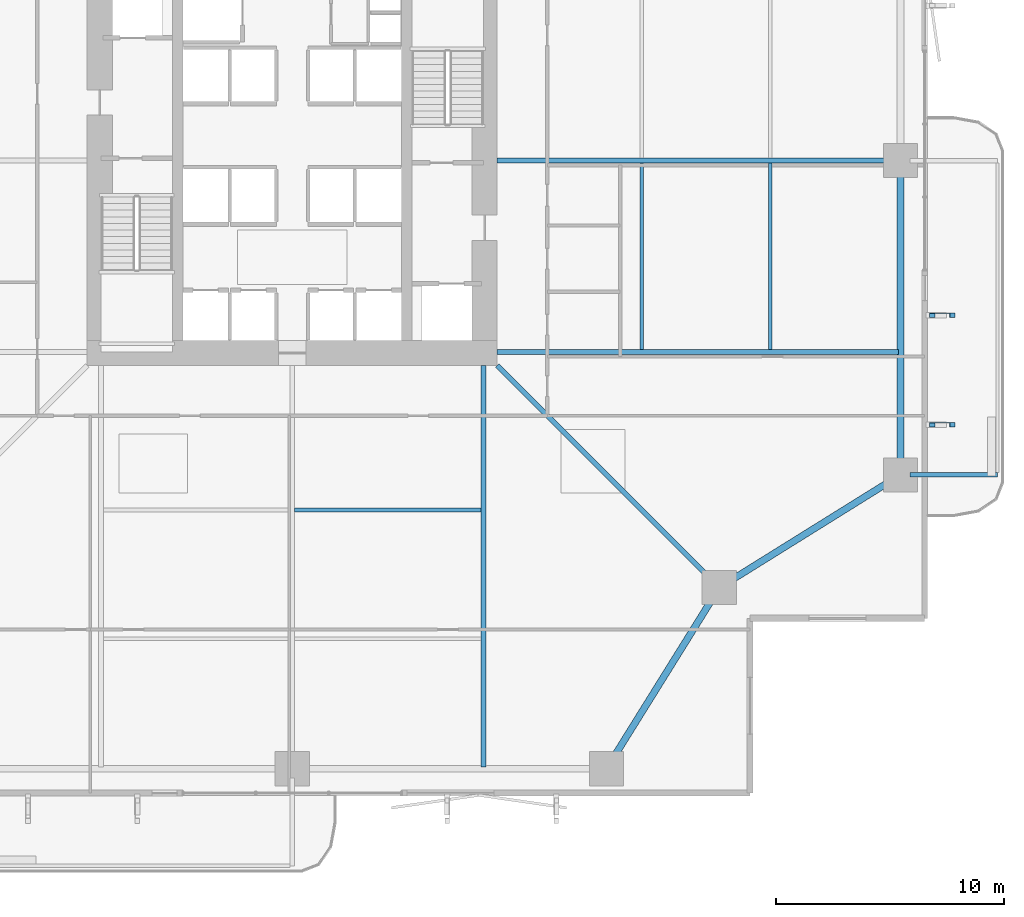
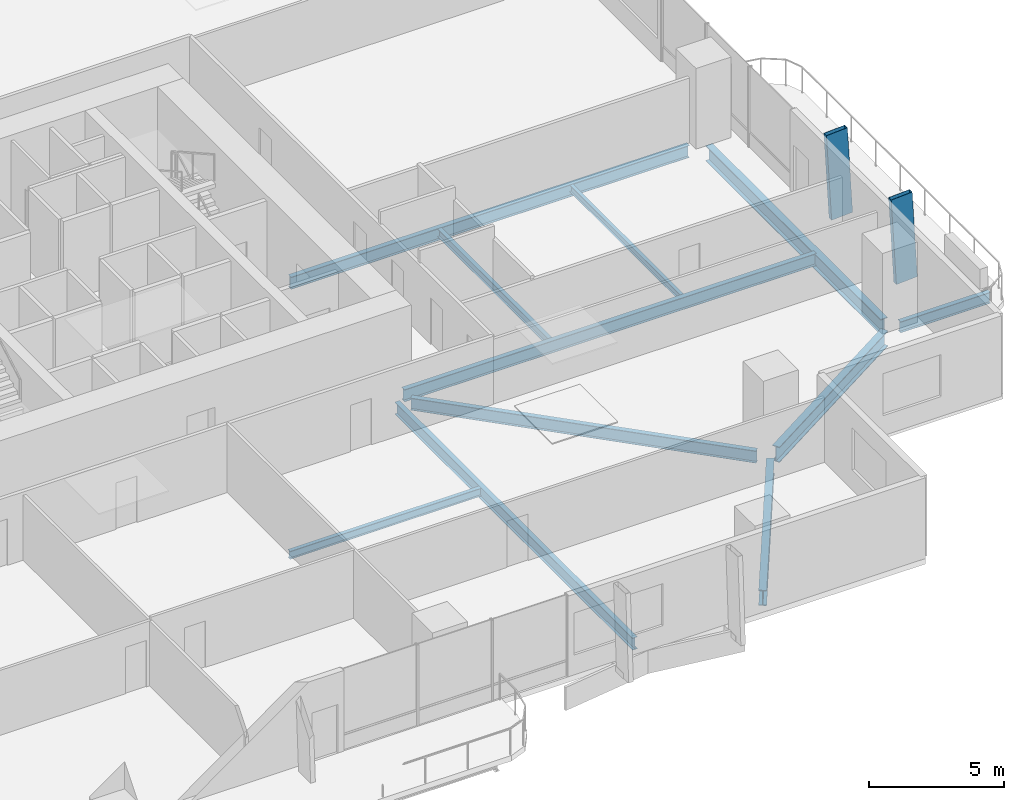
# One storey, part 7 of 23: 11 beams, 2 members.
"""IFC4 building model written with IfcOpenShell, lengths in metres."""

from ifc_helpers import new_model, si_unit, direction, frame, origin, origin_2d, place, context, subcontext, project, spatial, hollow_rectangle, i_section, extrude, material, material_profile, profile_set, type_object, element, save


model = new_model("IFC4")

# Units and contexts
model_context = context("Model", 3, precision=1e-05, world=origin(), true_north=direction((0.0, 1.0)))
body_context = subcontext(model_context, "Body", "Model", "MODEL_VIEW")
ifc_project = project(units=[si_unit("LENGTHUNIT", "METRE"), si_unit("AREAUNIT", "SQUARE_METRE"), si_unit("VOLUMEUNIT", "CUBIC_METRE"), si_unit("PLANEANGLEUNIT", "RADIAN"), si_unit("MASSUNIT", "GRAM", prefix="KILO")], contexts=[model_context])

# Site, building, storey
site_placement = place(None, origin())
site = spatial("IfcSite", under=ifc_project, at=site_placement, CompositionType="ELEMENT")
building_placement = place(site_placement, origin())
building = spatial("IfcBuilding", under=site, at=building_placement, Name="Belovzor Exchange Tower", CompositionType="ELEMENT")
storey_placement = place(building_placement, frame((0.0, 0.0, 88.5)))
storey = spatial("IfcBuildingStorey", under=building, at=storey_placement, Name="L21", CompositionType="ELEMENT", Elevation=88.5)

# Beams
ifc_material_1 = material(Name="Steel S355", Category="steel")
ifc_material_profile_1 = material_profile(ifc_material_1, i_section(OverallWidth=0.199951171875, OverallDepth=0.5, WebThickness=0.01025390625, FlangeThickness=0.01611328125, at=origin_2d()))
ifc_profile_set_1 = profile_set([ifc_material_profile_1], Name="Steel S355")
beam_type_1 = type_object("IfcBeamType", Name="Planted Balcony Cantilever Beam IPE 500", PredefinedType="BEAM", material=ifc_profile_set_1)
beam_1_placement = place(storey_placement, frame((55.9130859375, 15.0, -0.5), z_axis=(1.0, 0.0, 0.0), x_axis=(0.0, 1.0, 0.0)))
element("IfcBeam", 1, at=beam_1_placement, inside=storey, type_object=beam_type_1, Name="BC-500 Planted Balcony Cantilever Beam IPE 500", PredefinedType="BEAM", context=body_context, shape_type="SweptSolid", body=[
    extrude(i_section(OverallWidth=0.199951171875, OverallDepth=0.5, WebThickness=0.01025390625, FlangeThickness=0.01611328125, at=origin_2d()), origin(), (0.0, 0.0, 1.0), 3.849853515625),
])
ifc_material_2 = material(Name="Steel S355", Category="steel")
ifc_material_profile_2 = material_profile(ifc_material_2, i_section(OverallWidth=0.169921875, OverallDepth=0.360107421875, WebThickness=0.008056640625, FlangeThickness=0.0126953125, at=origin_2d()))
ifc_profile_set_2 = profile_set([ifc_material_profile_2], Name="Steel S355")
beam_type_2 = type_object("IfcBeamType", Name="Secondary Infill Floor Joist IPE 360", PredefinedType="BEAM", material=ifc_profile_set_2)
beam_2_placement = place(storey_placement, frame((28.905029296875, 13.455078125, -0.429931640625), z_axis=(1.0, 0.0, 0.0), x_axis=(0.0, 1.0, 0.0)))
element("IfcBeam", 2, at=beam_2_placement, inside=storey, type_object=beam_type_2, Name="FJ-360 Secondary Infill Floor Joist IPE 360", PredefinedType="BEAM", context=body_context, shape_type="SweptSolid", body=[
    extrude(i_section(OverallWidth=0.169921875, OverallDepth=0.360107421875, WebThickness=0.008056640625, FlangeThickness=0.0126953125, at=origin_2d()), origin(), (0.0, 0.0, 1.0), 8.18994140625),
])
beam_3_placement = place(storey_placement, frame((44.14501953125, 20.5048828125, -0.429931640625), z_axis=(0.0, 1.0, 0.0), x_axis=(-1.0, 0.0, 0.0)))
element("IfcBeam", 3, at=beam_3_placement, inside=storey, type_object=beam_type_2, Name="FJ-360 Secondary Infill Floor Joist IPE 360", PredefinedType="BEAM", context=body_context, shape_type="SweptSolid", body=[
    extrude(i_section(OverallWidth=0.169921875, OverallDepth=0.360107421875, WebThickness=0.008056640625, FlangeThickness=0.0126953125, at=origin_2d()), origin(), (0.0, 0.0, 1.0), 8.190185546875),
])
ifc_material_3 = material(Name="Steel S355", Category="steel")
ifc_material_profile_3 = material_profile(ifc_material_3, i_section(OverallWidth=0.14990234375, OverallDepth=0.300048828125, WebThickness=0.007080078125, FlangeThickness=0.0107421875, at=origin_2d()))
ifc_profile_set_3 = profile_set([ifc_material_profile_3], Name="Steel S355")
beam_type_3 = type_object("IfcBeamType", Name="Secondary Trim Floor Joist IPE 300", PredefinedType="BEAM", material=ifc_profile_set_3)
beam_4_placement = place(storey_placement, frame((49.784912109375, 20.5048828125, -0.39990234375), z_axis=(0.0, 1.0, 0.0), x_axis=(-1.0, 0.0, 0.0)))
element("IfcBeam", 4, at=beam_4_placement, inside=storey, type_object=beam_type_3, Name="FJ-300 Secondary Trim Floor Joist IPE 300", PredefinedType="BEAM", context=body_context, shape_type="SweptSolid", body=[
    extrude(i_section(OverallWidth=0.14990234375, OverallDepth=0.300048828125, WebThickness=0.007080078125, FlangeThickness=0.0107421875, at=origin_2d()), origin(), (0.0, 0.0, 1.0), 8.190185546875),
])

# Members
ifc_material_4 = material(Name="Extruded Architectural Terracotta on Steel S355 Carrier", Category="masonry")
ifc_material_profile_4 = material_profile(ifc_material_4, hollow_rectangle(XDim=0.199951171875, YDim=0.89990234375, WallThickness=0.011962890625, at=origin_2d()))
ifc_profile_set_4 = profile_set([ifc_material_profile_4], Name="Extruded Architectural Terracotta on Steel S355 Carrier")
member_type = type_object("IfcMemberType", Name="Sweeping Terracotta Baguette Fin Assembly 1250", PredefinedType="USERDEFINED", material=ifc_profile_set_4)
for number, where, z_axis, x_axis, name in (
    (5, (57.449951171875, 17.199951171875, -0.25), (-0.057560598171, 0.0, 0.998342014311), (0.0, -1.0, 0.0), "FIN-TC125 Terracotta Facade Fin L21 E1"),
    (6, (57.449951171875, 22.0, -0.25), (-0.057560598171, 0.0, 0.998342014311), (0.0, -1.0, 0.0), "FIN-TC125 Terracotta Facade Fin L21 E2"),
):
    element("IfcMember", number, at=place(storey_placement, frame(where, z_axis=z_axis, x_axis=x_axis)), inside=storey, type_object=member_type, Name=name, ObjectType="FIN", PredefinedType="USERDEFINED", context=body_context, shape_type="SweptSolid", body=[
        extrude(hollow_rectangle(XDim=0.199951171875, YDim=0.89990234375, WallThickness=0.011962890625, at=origin_2d()), origin(), (0.0, 0.0, 1.0), 3.906494140625),
    ])

# Beams
ifc_material_5 = material(Name="Steel S355", Category="steel")
ifc_material_profile_5 = material_profile(ifc_material_5, i_section(OverallWidth=0.300048828125, OverallDepth=0.699951171875, WebThickness=0.01708984375, FlangeThickness=0.031982421875, at=origin_2d()))
ifc_profile_set_5 = profile_set([ifc_material_profile_5], Name="Steel S355")
beam_type_4 = type_object("IfcBeamType", Name="Zone 1 Primary Perimeter Girder HEB 700", PredefinedType="BEAM", material=ifc_profile_set_5)
for number, where, z_axis, x_axis, name in (
    (7, (42.818115234375, 2.449951171875, -0.60009765625), (0.528538629686, 0.848909251292, 0.0), (-0.848909251292, 0.528538629686, 0.0), "FG-Z1 Zone 1 Primary Perimeter Girder HEB 700"),
    (8, (47.89990234375, 10.26806640625, -0.60009765625), (0.848909251292, 0.528538629686, 0.0), (-0.528538629686, 0.848909251292, 0.0), "FG-Z1 Zone 1 Primary Perimeter Girder HEB 700"),
):
    element("IfcBeam", number, at=place(storey_placement, frame(where, z_axis=z_axis, x_axis=x_axis)), inside=storey, type_object=beam_type_4, Name=name, PredefinedType="BEAM", context=body_context, shape_type="SweptSolid", body=[
        extrude(i_section(OverallWidth=0.300048828125, OverallDepth=0.699951171875, WebThickness=0.01708984375, FlangeThickness=0.031982421875, at=origin_2d()), origin(), (0.0, 0.0, 1.0), 8.540283203125),
    ])
beam_5_placement = place(storey_placement, frame((55.5, 15.412109375, -0.60009765625), z_axis=(0.0, 1.0, 0.0), x_axis=(-1.0, 0.0, 0.0)))
element("IfcBeam", 9, at=beam_5_placement, inside=storey, type_object=beam_type_4, Name="FG-Z1 Zone 1 Primary Perimeter Girder HEB 700", PredefinedType="BEAM", context=body_context, shape_type="SweptSolid", body=[
    extrude(i_section(OverallWidth=0.300048828125, OverallDepth=0.699951171875, WebThickness=0.01708984375, FlangeThickness=0.031982421875, at=origin_2d()), origin(), (0.0, 0.0, 1.0), 12.974853515625),
])
ifc_material_6 = material(Name="Steel S355", Category="steel")
ifc_material_profile_6 = material_profile(ifc_material_6, i_section(OverallWidth=0.2099609375, OverallDepth=0.550048828125, WebThickness=0.010986328125, FlangeThickness=0.01708984375, at=origin_2d()))
ifc_profile_set_6 = profile_set([ifc_material_profile_6], Name="Steel S355")
beam_type_5 = type_object("IfcBeamType", Name="Zone 1 Radial Composite Floor Beam IPE 550", PredefinedType="BEAM", material=ifc_profile_set_6)
for number, where, z_axis, x_axis, name in (
    (10, (37.199951171875, 19.800048828125, -0.52490234375), (0.0, -1.0, 0.0), (1.0, 0.0, 0.0), "FB-550 Zone 1 Radial Composite Floor Beam IPE 550"),
    (11, (37.800048828125, 20.39990234375, -0.52490234375), (1.0, 0.0, 0.0), (0.0, 1.0, 0.0), "FB-550 Zone 1 Radial Composite Floor Beam IPE 550"),
):
    element("IfcBeam", number, at=place(storey_placement, frame(where, z_axis=z_axis, x_axis=x_axis)), inside=storey, type_object=beam_type_5, Name=name, PredefinedType="BEAM", context=body_context, shape_type="SweptSolid", body=[
        extrude(i_section(OverallWidth=0.2099609375, OverallDepth=0.550048828125, WebThickness=0.010986328125, FlangeThickness=0.01708984375, at=origin_2d()), origin(), (0.0, 0.0, 1.0), 17.625),
    ])
beam_6_placement = place(storey_placement, frame((37.800048828125, 28.800048828125, -0.52490234375), z_axis=(1.0, 0.0, 0.0), x_axis=(0.0, 1.0, 0.0)))
element("IfcBeam", 12, at=beam_6_placement, inside=storey, type_object=beam_type_5, Name="FB-550 Zone 1 Radial Composite Floor Beam IPE 550", PredefinedType="BEAM", context=body_context, shape_type="SweptSolid", body=[
    extrude(i_section(OverallWidth=0.2099609375, OverallDepth=0.550048828125, WebThickness=0.010986328125, FlangeThickness=0.01708984375, at=origin_2d()), origin(), (0.0, 0.0, 1.0), 17.0400390625),
])
beam_7_placement = place(storey_placement, frame((37.800048828125, 19.800048828125, -0.52490234375), z_axis=(0.707106781187, -0.707106781187, 0.0), x_axis=(0.707106781187, 0.707106781187, 0.0)))
element("IfcBeam", 13, at=beam_7_placement, inside=storey, type_object=beam_type_5, Name="FB-550 Zone 1 Radial Composite Floor Beam IPE 550", PredefinedType="BEAM", context=body_context, shape_type="SweptSolid", body=[
    extrude(i_section(OverallWidth=0.2099609375, OverallDepth=0.550048828125, WebThickness=0.010986328125, FlangeThickness=0.01708984375, at=origin_2d()), origin(), (0.0, 0.0, 1.0), 13.25830078125),
])

save(model, "model.ifc")
